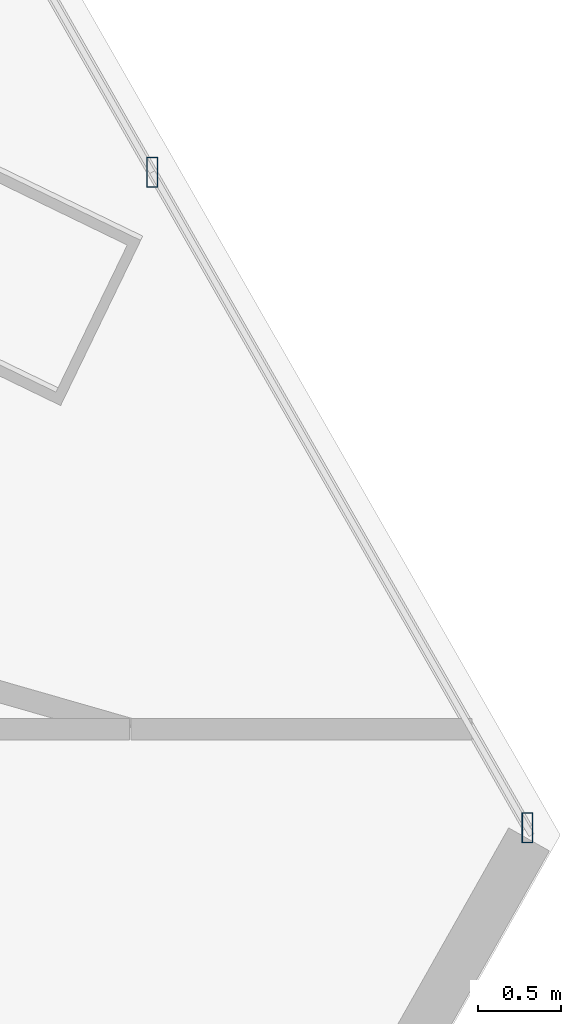
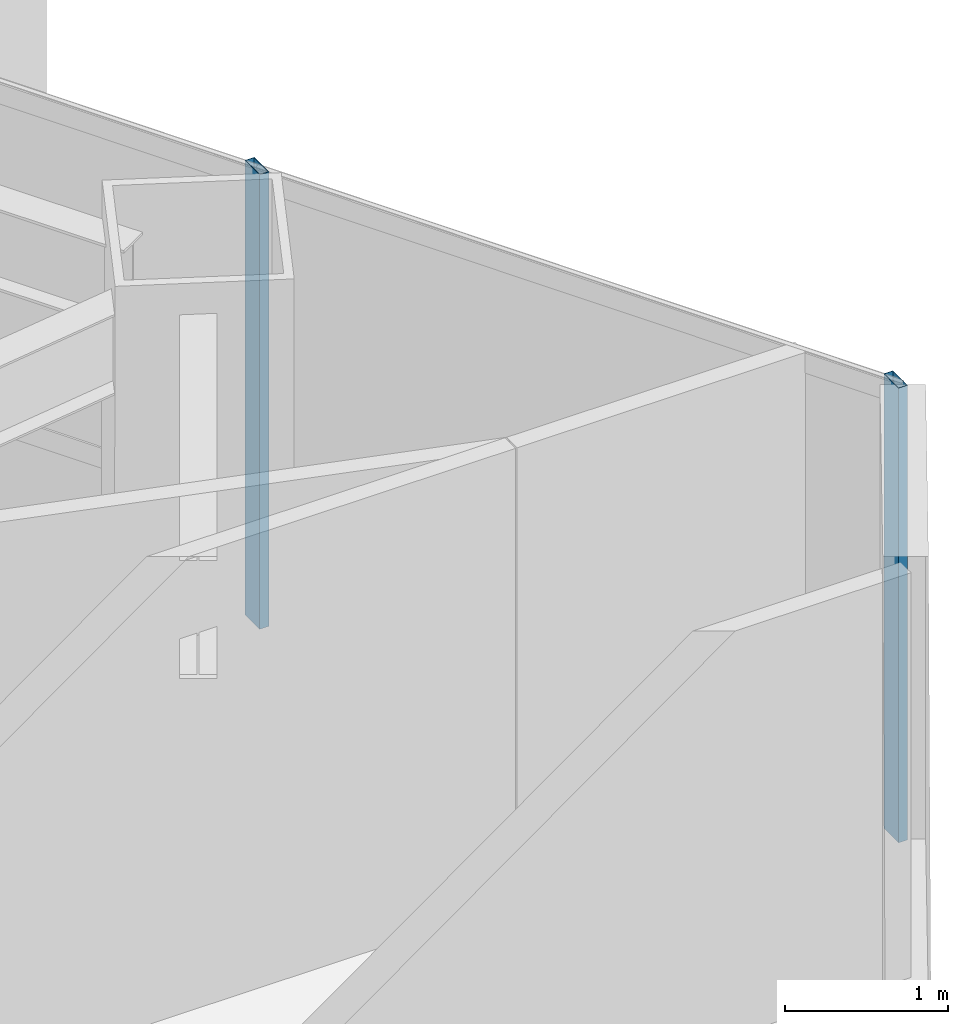
# One storey, part 19 of 36: 2 members, 1 element without a shape of its own.
"""IFC4 building model written with IfcOpenShell, lengths in metres."""

from ifc_helpers import new_model, si_unit, direction, frame, origin, origin_2d, place, context, subcontext, project, spatial, hollow_rectangle, extrude, source, transform, mapped, material, material_profile, profile_set, type_object, type_shapes, element, aggregate, save


model = new_model("IFC4")

# Units and contexts
model_context = context("Model", 3, precision=1e-05, world=origin(), true_north=direction((0.0, 1.0)))
body_context = subcontext(model_context, "Body", "Model", "MODEL_VIEW")
ifc_project = project(units=[si_unit("LENGTHUNIT", "METRE"), si_unit("AREAUNIT", "SQUARE_METRE"), si_unit("VOLUMEUNIT", "CUBIC_METRE"), si_unit("PLANEANGLEUNIT", "RADIAN"), si_unit("MASSUNIT", "GRAM", prefix="KILO")], contexts=[model_context])

# Site, building, storey
site_placement = place(None, origin())
site = spatial("IfcSite", under=ifc_project, at=site_placement, CompositionType="ELEMENT")
building_placement = place(site_placement, origin())
building = spatial("IfcBuilding", under=site, at=building_placement, Name="Caelisora Broadcast Tower", CompositionType="ELEMENT")
storey_placement = place(building_placement, frame((0.0, 0.0, 79.85009765625)))
storey = spatial("IfcBuildingStorey", under=building, at=storey_placement, Name="L20", CompositionType="ELEMENT", Elevation=79.85009765625)

# Curtain wall, members
ifc_material_1 = material(Name="Unitised Aluminium and Low-E Glass Curtain Wall", Category="glass")
curtain_wall_type = type_object("IfcCurtainWallType", Name="CW-Z2", PredefinedType="NOTDEFINED", material=ifc_material_1)
curtain_wall_placement = place(storey_placement, origin())
curtain_wall = element("IfcCurtainWall", 1, at=curtain_wall_placement, inside=storey, type_object=curtain_wall_type, Name="L20 curtain wall CW-Z2", PredefinedType="NOTDEFINED")
ifc_material_2 = material(Name="Aluminium 6063-T6 Anodised Terracotta Bronze", Category="aluminium")
ifc_material_profile = material_profile(ifc_material_2, hollow_rectangle(XDim=0.06494140625, YDim=0.179931640625, WallThickness=0.00341796875, at=origin_2d()), Name="Aluminium 6063-T6 Anodised Terracotta Bronze")
ifc_profile_set = profile_set([ifc_material_profile], Name="Aluminium 6063-T6 Anodised Terracotta Bronze")
member_type = type_object("IfcMemberType", Name="CWM-02", PredefinedType="MULLION", material=ifc_profile_set)
shared_shape = source(origin(), body_context, "Body", "SweptSolid", [
    extrude(hollow_rectangle(XDim=0.06494140625, YDim=0.179931640625, WallThickness=0.00341796875, at=origin_2d()), origin(), (0.0, 0.0, 1.0), 3.39990234375),
])
type_shapes(member_type, [shared_shape])
member_1_placement = place(storey_placement, frame((62.191162109375, 20.439453125, 0.0), z_axis=(0.0, 0.0, 1.0), x_axis=(1.0, 0.0, 0.0)))
member_1 = element("IfcMember", 2, at=member_1_placement, type_object=member_type, Name="L20-CW-B03 mullion #2", PredefinedType="MULLION", context=body_context, shape_type="MappedRepresentation", body=[
    mapped(shared_shape, transform((0.0, 0.0, 0.0), scale=1.0)),
])
member_2_placement = place(storey_placement, frame((64.440185546875, 16.50830078125, 0.0), z_axis=(0.0, 0.0, 1.0), x_axis=(1.0, 0.0, 0.0)))
member_2 = element("IfcMember", 3, at=member_2_placement, type_object=member_type, Name="L20-CW-B03 mullion #3", PredefinedType="MULLION", context=body_context, shape_type="MappedRepresentation", body=[
    mapped(shared_shape, transform((0.0, 0.0, 0.0), scale=1.0)),
])
aggregate(curtain_wall, [member_1, member_2])

save(model, "model.ifc")
